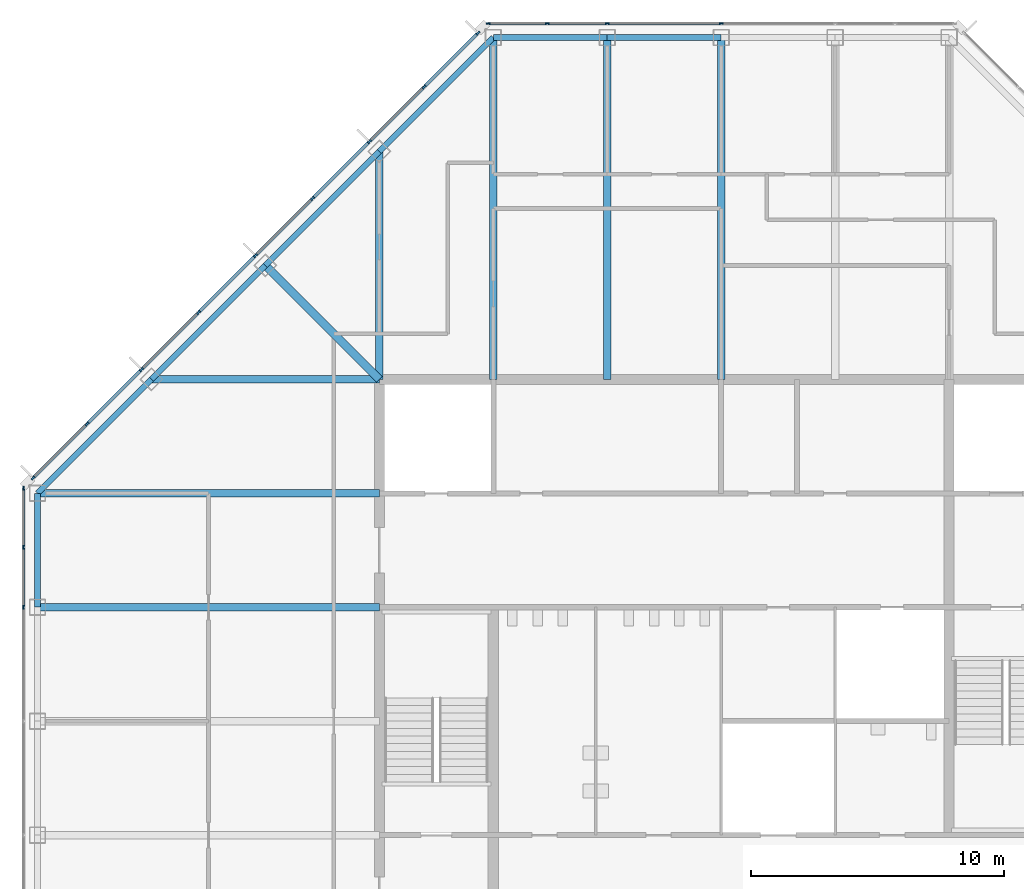
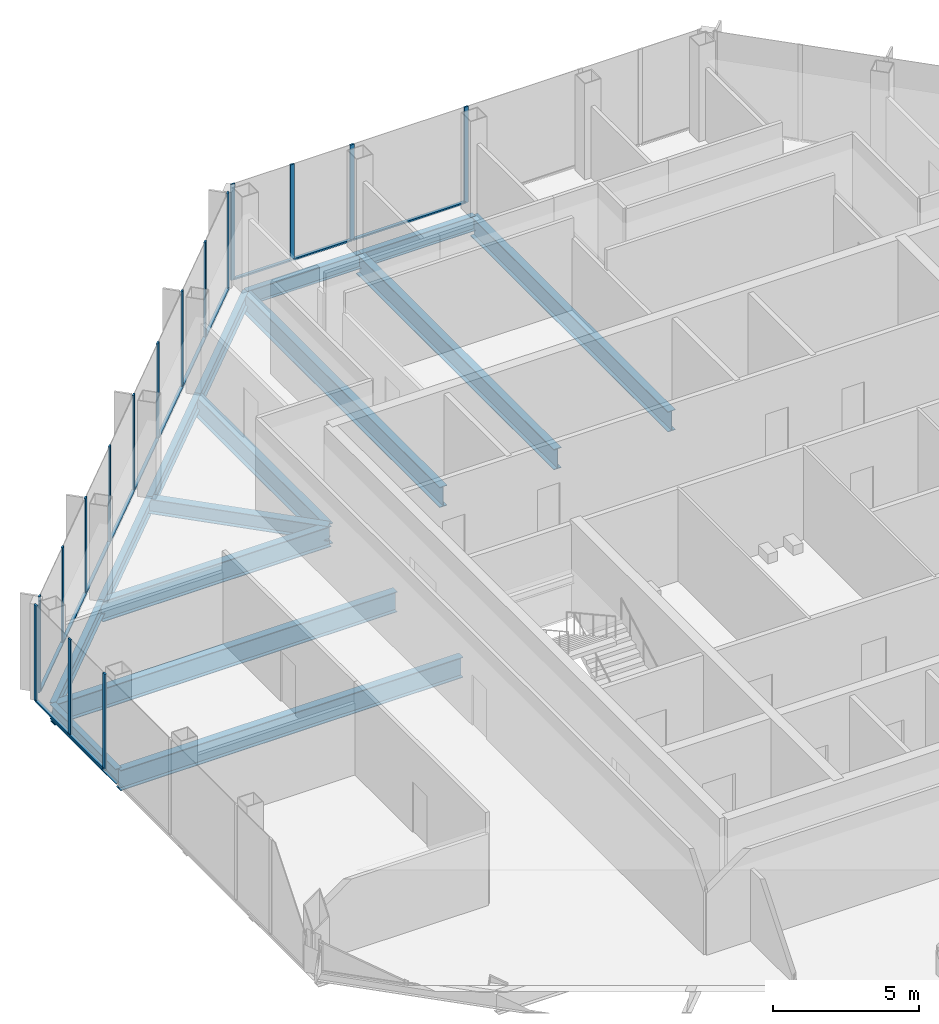
# One storey, part 6 of 14: 29 members, 15 beams, 3 elements without a shape of their own.
"""IFC4 building model written with IfcOpenShell, lengths in metres."""

from ifc_helpers import new_model, si_unit, direction, frame, origin, origin_2d, place, context, subcontext, project, spatial, rectangle, i_section, extrude, material, material_profile, profile_set, type_object, element, aggregate, save


model = new_model("IFC4")

# Units and contexts
model_context = context("Model", 3, precision=1e-05, world=origin(), true_north=direction((0.0, 1.0)))
body_context = subcontext(model_context, "Body", "Model", "MODEL_VIEW")
ifc_project = project(units=[si_unit("LENGTHUNIT", "METRE"), si_unit("AREAUNIT", "SQUARE_METRE"), si_unit("VOLUMEUNIT", "CUBIC_METRE"), si_unit("PLANEANGLEUNIT", "RADIAN"), si_unit("MASSUNIT", "GRAM", prefix="KILO")], contexts=[model_context])

# Site, building, storey
site_placement = place(None, origin())
site = spatial("IfcSite", under=ifc_project, at=site_placement, CompositionType="ELEMENT")
building_placement = place(site_placement, origin())
building = spatial("IfcBuilding", under=site, at=building_placement, Name="Corais Broadcast Tower", CompositionType="ELEMENT")
storey_placement = place(building_placement, frame((0.0, 0.0, 254.60009765625)))
storey = spatial("IfcBuildingStorey", under=building, at=storey_placement, Name="L59", CompositionType="ELEMENT", Elevation=254.60009765625)

# Beams
ifc_material_1 = material(Name="Steel ASTM A572 Grade 50", Category="steel")
ifc_material_profile_1 = material_profile(ifc_material_1, i_section(OverallWidth=0.323974609375, OverallDepth=0.611083984375, WebThickness=0.0126953125, FlangeThickness=0.01904296875, at=origin_2d()), Name="W610x155")
ifc_profile_set_1 = profile_set([ifc_material_profile_1], Name="Steel ASTM A572 Grade 50")
beam_type_1 = type_object("IfcBeamType", Name="Corner diagonal W610x155", PredefinedType="BEAM", material=ifc_profile_set_1)
beam_1_placement = place(storey_placement, frame((9.0, 45.0, -0.465576171875), z_axis=(0.707106781187, -0.707106781187, 0.0), x_axis=(0.707106781187, 0.707106781187, 0.0)))
element("IfcBeam", 1, at=beam_1_placement, inside=storey, type_object=beam_type_1, Name="B6 L/5 to K/6", PredefinedType="BEAM", context=body_context, shape_type="SweptSolid", body=[
    extrude(i_section(OverallWidth=0.323974609375, OverallDepth=0.611083984375, WebThickness=0.0126953125, FlangeThickness=0.01904296875, at=origin_2d()), origin(), (0.0, 0.0, 1.0), 6.364013671875),
])
ifc_material_2 = material(Name="Steel ASTM A572 Grade 50", Category="steel")
ifc_material_profile_2 = material_profile(ifc_material_2, i_section(OverallWidth=0.2939453125, OverallDepth=0.85107421875, WebThickness=0.01611328125, FlangeThickness=0.02685546875, at=origin_2d()), Name="W840x226")
ifc_profile_set_2 = profile_set([ifc_material_profile_2], Name="Steel ASTM A572 Grade 50")
beam_type_2 = type_object("IfcBeamType", Name="Floor beam W840x226", PredefinedType="BEAM", material=ifc_profile_set_2)
for number, where, z_axis, x_axis, name in (
    (2, (0.0, 31.5, -0.585693359375), (1.0, 0.0, 0.0), (0.0, 1.0, 0.0), "B1 H/3 to H/6"),
    (3, (0.0, 36.0, -0.585693359375), (1.0, 0.0, 0.0), (0.0, 1.0, 0.0), "B1 J/3 to J/6"),
):
    element("IfcBeam", number, at=place(storey_placement, frame(where, z_axis=z_axis, x_axis=x_axis)), inside=storey, type_object=beam_type_2, Name=name, PredefinedType="BEAM", context=body_context, shape_type="SweptSolid", body=[
        extrude(i_section(OverallWidth=0.2939453125, OverallDepth=0.85107421875, WebThickness=0.01611328125, FlangeThickness=0.02685546875, at=origin_2d()), origin(), (0.0, 0.0, 1.0), 13.5),
    ])
beam_2_placement = place(storey_placement, frame((13.5, 49.5, -0.585693359375), z_axis=(0.0, -1.0, 0.0), x_axis=(1.0, 0.0, 0.0)))
element("IfcBeam", 4, at=beam_2_placement, inside=storey, type_object=beam_type_2, Name="B1 M/6 to K/6", PredefinedType="BEAM", context=body_context, shape_type="SweptSolid", body=[
    extrude(i_section(OverallWidth=0.2939453125, OverallDepth=0.85107421875, WebThickness=0.01611328125, FlangeThickness=0.02685546875, at=origin_2d()), origin(), (0.0, 0.0, 1.0), 9.0),
])
for number, where, z_axis, x_axis, name in (
    (5, (18.0, 54.0, -0.585693359375), (0.0, -1.0, 0.0), (1.0, 0.0, 0.0), "B1 N/7 to K/7"),
    (6, (22.5, 54.0, -0.585693359375), (0.0, -1.0, 0.0), (1.0, 0.0, 0.0), "B1 N/8 to K/8"),
    (7, (27.0, 54.0, -0.585693359375), (0.0, -1.0, 0.0), (1.0, 0.0, 0.0), "B1 N/9 to K/9"),
):
    element("IfcBeam", number, at=place(storey_placement, frame(where, z_axis=z_axis, x_axis=x_axis)), inside=storey, type_object=beam_type_2, Name=name, PredefinedType="BEAM", context=body_context, shape_type="SweptSolid", body=[
        extrude(i_section(OverallWidth=0.2939453125, OverallDepth=0.85107421875, WebThickness=0.01611328125, FlangeThickness=0.02685546875, at=origin_2d()), origin(), (0.0, 0.0, 1.0), 13.5),
    ])
beam_3_placement = place(storey_placement, frame((4.5, 40.5, -0.585693359375), z_axis=(1.0, 0.0, 0.0), x_axis=(0.0, 1.0, 0.0)))
element("IfcBeam", 8, at=beam_3_placement, inside=storey, type_object=beam_type_2, Name="B1 K/4 to K/6", PredefinedType="BEAM", context=body_context, shape_type="SweptSolid", body=[
    extrude(i_section(OverallWidth=0.2939453125, OverallDepth=0.85107421875, WebThickness=0.01611328125, FlangeThickness=0.02685546875, at=origin_2d()), origin(), (0.0, 0.0, 1.0), 9.0),
])

# Curtain wall, members
ifc_material_3 = material(Name="Aluminium and glass", Category="aluminium")
curtain_wall_type = type_object("IfcCurtainWallType", Name="Unitised fritted curtain wall CW3", PredefinedType="NOTDEFINED", material=ifc_material_3)
curtain_wall_1_placement = place(storey_placement, origin())
curtain_wall_1 = element("IfcCurtainWall", 9, at=curtain_wall_1_placement, inside=storey, type_object=curtain_wall_type, Name="CW3 curtain wall L59 2", PredefinedType="NOTDEFINED")
ifc_material_4 = material(Name="Aluminium 6063-T6", Category="aluminium")
ifc_material_profile_3 = material_profile(ifc_material_4, rectangle(XDim=0.06494140625, YDim=0.159912109375, at=origin_2d()), Name="Mullion CW3 65x160")
ifc_profile_set_3 = profile_set([ifc_material_profile_3], Name="Aluminium 6063-T6")
member_type_1 = type_object("IfcMemberType", Name="Mullion CW3 65x160", PredefinedType="MULLION", material=ifc_profile_set_3)
member_1_placement = place(storey_placement, frame((-0.550048828125, 31.5, 0.0), z_axis=(0.0, 0.0, 1.0), x_axis=(-1.0, 0.0, 0.0)))
member_1 = element("IfcMember", 10, at=member_1_placement, type_object=member_type_1, Name="CW3 mullion 5", PredefinedType="MULLION", context=body_context, shape_type="SweptSolid", body=[
    extrude(rectangle(XDim=0.06494140625, YDim=0.159912109375, at=origin_2d()), origin(), (0.0, 0.0, 1.0), 4.0),
])
member_2_placement = place(storey_placement, frame((-0.550048828125, 33.864013671875, 0.0), z_axis=(0.0, 0.0, 1.0), x_axis=(-1.0, 0.0, 0.0)))
member_2 = element("IfcMember", 11, at=member_2_placement, type_object=member_type_1, Name="CW3 mullion 6", PredefinedType="MULLION", context=body_context, shape_type="SweptSolid", body=[
    extrude(rectangle(XDim=0.06494140625, YDim=0.159912109375, at=origin_2d()), origin(), (0.0, 0.0, 1.0), 4.0),
])
member_3_placement = place(storey_placement, frame((-0.550048828125, 36.1953125, 0.0), z_axis=(0.0, 0.0, 1.0), x_axis=(-1.0, 0.0, 0.0)))
member_3 = element("IfcMember", 12, at=member_3_placement, type_object=member_type_1, Name="CW3 mullion 7", PredefinedType="MULLION", context=body_context, shape_type="SweptSolid", body=[
    extrude(rectangle(XDim=0.06494140625, YDim=0.159912109375, at=origin_2d()), origin(), (0.0, 0.0, 1.0), 4.0),
])

curtain_wall_2_placement = place(storey_placement, origin())
curtain_wall_2 = element("IfcCurtainWall", 13, at=curtain_wall_2_placement, inside=storey, type_object=curtain_wall_type, Name="CW3 curtain wall L59 3", PredefinedType="NOTDEFINED")
member_4_placement = place(storey_placement, frame((-0.17333984375, 36.6044921875, 0.0), z_axis=(0.0, 0.0, 1.0), x_axis=(-0.707106781187, 0.707106781187, 0.0)))
member_4 = element("IfcMember", 14, at=member_4_placement, type_object=member_type_1, Name="CW3 mullion 1", PredefinedType="MULLION", context=body_context, shape_type="SweptSolid", body=[
    extrude(rectangle(XDim=0.06494140625, YDim=0.159912109375, at=origin_2d()), origin(), (0.0, 0.0, 1.0), 4.0),
])
member_5_placement = place(storey_placement, frame((1.957275390625, 38.735107421875, 0.0), z_axis=(0.0, 0.0, 1.0), x_axis=(-0.707106781187, 0.707106781187, 0.0)))
member_5 = element("IfcMember", 15, at=member_5_placement, type_object=member_type_1, Name="CW3 mullion 2", PredefinedType="MULLION", context=body_context, shape_type="SweptSolid", body=[
    extrude(rectangle(XDim=0.06494140625, YDim=0.159912109375, at=origin_2d()), origin(), (0.0, 0.0, 1.0), 4.0),
])
member_6_placement = place(storey_placement, frame((4.111083984375, 40.888916015625, 0.0), z_axis=(0.0, 0.0, 1.0), x_axis=(-0.707106781187, 0.707106781187, 0.0)))
member_6 = element("IfcMember", 16, at=member_6_placement, type_object=member_type_1, Name="CW3 mullion 3", PredefinedType="MULLION", context=body_context, shape_type="SweptSolid", body=[
    extrude(rectangle(XDim=0.06494140625, YDim=0.159912109375, at=origin_2d()), origin(), (0.0, 0.0, 1.0), 4.0),
])
member_7_placement = place(storey_placement, frame((6.361083984375, 43.138916015625, 0.0), z_axis=(0.0, 0.0, 1.0), x_axis=(-0.707106781187, 0.707106781187, 0.0)))
member_7 = element("IfcMember", 17, at=member_7_placement, type_object=member_type_1, Name="CW3 mullion 4", PredefinedType="MULLION", context=body_context, shape_type="SweptSolid", body=[
    extrude(rectangle(XDim=0.06494140625, YDim=0.159912109375, at=origin_2d()), origin(), (0.0, 0.0, 1.0), 4.0),
])
member_8_placement = place(storey_placement, frame((8.611083984375, 45.388916015625, 0.0), z_axis=(0.0, 0.0, 1.0), x_axis=(-0.707106781187, 0.707106781187, 0.0)))
member_8 = element("IfcMember", 18, at=member_8_placement, type_object=member_type_1, Name="CW3 mullion 5", PredefinedType="MULLION", context=body_context, shape_type="SweptSolid", body=[
    extrude(rectangle(XDim=0.06494140625, YDim=0.159912109375, at=origin_2d()), origin(), (0.0, 0.0, 1.0), 4.0),
])
member_9_placement = place(storey_placement, frame((10.861083984375, 47.638916015625, 0.0), z_axis=(0.0, 0.0, 1.0), x_axis=(-0.707106781187, 0.707106781187, 0.0)))
member_9 = element("IfcMember", 19, at=member_9_placement, type_object=member_type_1, Name="CW3 mullion 6", PredefinedType="MULLION", context=body_context, shape_type="SweptSolid", body=[
    extrude(rectangle(XDim=0.06494140625, YDim=0.159912109375, at=origin_2d()), origin(), (0.0, 0.0, 1.0), 4.0),
])
member_10_placement = place(storey_placement, frame((13.111083984375, 49.888916015625, 0.0), z_axis=(0.0, 0.0, 1.0), x_axis=(-0.707106781187, 0.707106781187, 0.0)))
member_10 = element("IfcMember", 20, at=member_10_placement, type_object=member_type_1, Name="CW3 mullion 7", PredefinedType="MULLION", context=body_context, shape_type="SweptSolid", body=[
    extrude(rectangle(XDim=0.06494140625, YDim=0.159912109375, at=origin_2d()), origin(), (0.0, 0.0, 1.0), 4.0),
])
member_11_placement = place(storey_placement, frame((15.264892578125, 52.042724609375, 0.0), z_axis=(0.0, 0.0, 1.0), x_axis=(-0.707106781187, 0.707106781187, 0.0)))
member_11 = element("IfcMember", 21, at=member_11_placement, type_object=member_type_1, Name="CW3 mullion 8", PredefinedType="MULLION", context=body_context, shape_type="SweptSolid", body=[
    extrude(rectangle(XDim=0.06494140625, YDim=0.159912109375, at=origin_2d()), origin(), (0.0, 0.0, 1.0), 4.0),
])
member_12_placement = place(storey_placement, frame((17.3955078125, 54.17333984375, 0.0), z_axis=(0.0, 0.0, 1.0), x_axis=(-0.707106781187, 0.707106781187, 0.0)))
member_12 = element("IfcMember", 22, at=member_12_placement, type_object=member_type_1, Name="CW3 mullion 9", PredefinedType="MULLION", context=body_context, shape_type="SweptSolid", body=[
    extrude(rectangle(XDim=0.06494140625, YDim=0.159912109375, at=origin_2d()), origin(), (0.0, 0.0, 1.0), 4.0),
])

curtain_wall_3_placement = place(storey_placement, origin())
curtain_wall_3 = element("IfcCurtainWall", 23, at=curtain_wall_3_placement, inside=storey, type_object=curtain_wall_type, Name="CW3 curtain wall L59 4", PredefinedType="NOTDEFINED")
member_13_placement = place(storey_placement, frame((17.8046875, 54.550048828125, 0.0), z_axis=(0.0, 0.0, 1.0), x_axis=(0.0, 1.0, 0.0)))
member_13 = element("IfcMember", 24, at=member_13_placement, type_object=member_type_1, Name="CW3 mullion 1", PredefinedType="MULLION", context=body_context, shape_type="SweptSolid", body=[
    extrude(rectangle(XDim=0.06494140625, YDim=0.159912109375, at=origin_2d()), origin(), (0.0, 0.0, 1.0), 4.0),
])
member_14_placement = place(storey_placement, frame((20.135986328125, 54.550048828125, 0.0), z_axis=(0.0, 0.0, 1.0), x_axis=(0.0, 1.0, 0.0)))
member_14 = element("IfcMember", 25, at=member_14_placement, type_object=member_type_1, Name="CW3 mullion 2", PredefinedType="MULLION", context=body_context, shape_type="SweptSolid", body=[
    extrude(rectangle(XDim=0.06494140625, YDim=0.159912109375, at=origin_2d()), origin(), (0.0, 0.0, 1.0), 4.0),
])
member_15_placement = place(storey_placement, frame((22.5, 54.550048828125, 0.0), z_axis=(0.0, 0.0, 1.0), x_axis=(0.0, 1.0, 0.0)))
member_15 = element("IfcMember", 26, at=member_15_placement, type_object=member_type_1, Name="CW3 mullion 3", PredefinedType="MULLION", context=body_context, shape_type="SweptSolid", body=[
    extrude(rectangle(XDim=0.06494140625, YDim=0.159912109375, at=origin_2d()), origin(), (0.0, 0.0, 1.0), 4.0),
])
member_16_placement = place(storey_placement, frame((27.0, 54.550048828125, 0.0), z_axis=(0.0, 0.0, 1.0), x_axis=(0.0, 1.0, 0.0)))
member_16 = element("IfcMember", 27, at=member_16_placement, type_object=member_type_1, Name="CW3 mullion 4", PredefinedType="MULLION", context=body_context, shape_type="SweptSolid", body=[
    extrude(rectangle(XDim=0.06494140625, YDim=0.159912109375, at=origin_2d()), origin(), (0.0, 0.0, 1.0), 4.0),
])

# Beams
ifc_material_5 = material(Name="Steel ASTM A572 Grade 50", Category="steel")
ifc_material_profile_4 = material_profile(ifc_material_5, i_section(OverallWidth=0.22998046875, OverallDepth=0.616943359375, WebThickness=0.01318359375, FlangeThickness=0.022216796875, at=origin_2d()), Name="W610x140")
ifc_profile_set_4 = profile_set([ifc_material_profile_4], Name="Steel ASTM A572 Grade 50")
beam_type_3 = type_object("IfcBeamType", Name="Spandrel W610x140", PredefinedType="BEAM", material=ifc_profile_set_4)
beam_4_placement = place(storey_placement, frame((0.0, 36.0, -0.468505859375), z_axis=(0.0, -1.0, 0.0), x_axis=(1.0, 0.0, 0.0)))
element("IfcBeam", 28, at=beam_4_placement, inside=storey, type_object=beam_type_3, Name="SB3 J/3 to H/3", PredefinedType="BEAM", context=body_context, shape_type="SweptSolid", body=[
    extrude(i_section(OverallWidth=0.22998046875, OverallDepth=0.616943359375, WebThickness=0.01318359375, FlangeThickness=0.022216796875, at=origin_2d()), origin(), (0.0, 0.0, 1.0), 4.5),
])
for number, where, z_axis, x_axis, name in (
    (29, (13.5, 49.5, -0.468505859375), (-0.707106781187, -0.707106781187, 0.0), (0.707106781187, -0.707106781187, 0.0), "SB3 M/6 to L/5"),
    (30, (18.0, 54.0, -0.468505859375), (-0.707106781187, -0.707106781187, 0.0), (0.707106781187, -0.707106781187, 0.0), "SB3 N/7 to M/6"),
):
    element("IfcBeam", number, at=place(storey_placement, frame(where, z_axis=z_axis, x_axis=x_axis)), inside=storey, type_object=beam_type_3, Name=name, PredefinedType="BEAM", context=body_context, shape_type="SweptSolid", body=[
        extrude(i_section(OverallWidth=0.22998046875, OverallDepth=0.616943359375, WebThickness=0.01318359375, FlangeThickness=0.022216796875, at=origin_2d()), origin(), (0.0, 0.0, 1.0), 6.364013671875),
    ])
for number, where, z_axis, x_axis, name in (
    (31, (22.5, 54.0, -0.468505859375), (-1.0, 0.0, 0.0), (0.0, -1.0, 0.0), "SB3 N/8 to N/7"),
    (32, (27.0, 54.0, -0.468505859375), (-1.0, 0.0, 0.0), (0.0, -1.0, 0.0), "SB3 N/9 to N/8"),
):
    element("IfcBeam", number, at=place(storey_placement, frame(where, z_axis=z_axis, x_axis=x_axis)), inside=storey, type_object=beam_type_3, Name=name, PredefinedType="BEAM", context=body_context, shape_type="SweptSolid", body=[
        extrude(i_section(OverallWidth=0.22998046875, OverallDepth=0.616943359375, WebThickness=0.01318359375, FlangeThickness=0.022216796875, at=origin_2d()), origin(), (0.0, 0.0, 1.0), 4.5),
    ])
for number, where, z_axis, x_axis, name in (
    (33, (4.5, 40.5, -0.468505859375), (-0.707106781187, -0.707106781187, 0.0), (0.707106781187, -0.707106781187, 0.0), "SB3 K/4 to J/3"),
    (34, (9.0, 45.0, -0.468505859375), (-0.707106781187, -0.707106781187, 0.0), (0.707106781187, -0.707106781187, 0.0), "SB3 L/5 to K/4"),
):
    element("IfcBeam", number, at=place(storey_placement, frame(where, z_axis=z_axis, x_axis=x_axis)), inside=storey, type_object=beam_type_3, Name=name, PredefinedType="BEAM", context=body_context, shape_type="SweptSolid", body=[
        extrude(i_section(OverallWidth=0.22998046875, OverallDepth=0.616943359375, WebThickness=0.01318359375, FlangeThickness=0.022216796875, at=origin_2d()), origin(), (0.0, 0.0, 1.0), 6.364013671875),
    ])

# Member
ifc_material_6 = material(Name="Aluminium 6063-T6", Category="aluminium")
ifc_material_profile_5 = material_profile(ifc_material_6, rectangle(XDim=0.1201171875, YDim=0.06494140625, at=origin_2d()), Name="Transom CW3 65x120")
ifc_profile_set_5 = profile_set([ifc_material_profile_5], Name="Aluminium 6063-T6")
member_type_2 = type_object("IfcMemberType", Name="Transom CW3 65x120", PredefinedType="USERDEFINED", material=ifc_profile_set_5)
member_17_placement = place(storey_placement, frame((-0.550048828125, 31.532470703125, 0.032470703125), z_axis=(0.0, 1.0, 0.0), x_axis=(-1.0, 0.0, 0.0)))
member_17 = element("IfcMember", 35, at=member_17_placement, type_object=member_type_2, Name="CW3 transom 5.1", ObjectType="TRANSOM", PredefinedType="USERDEFINED", context=body_context, shape_type="SweptSolid", body=[
    extrude(rectangle(XDim=0.1201171875, YDim=0.06494140625, at=origin_2d()), origin(), (0.0, 0.0, 1.0), 2.298828125),
])

member_18_placement = place(storey_placement, frame((-0.550048828125, 33.896484375, 0.032470703125), z_axis=(0.0, 1.0, 0.0), x_axis=(-1.0, 0.0, 0.0)))
member_18 = element("IfcMember", 36, at=member_18_placement, type_object=member_type_2, Name="CW3 transom 6.1", ObjectType="TRANSOM", PredefinedType="USERDEFINED", context=body_context, shape_type="SweptSolid", body=[
    extrude(rectangle(XDim=0.1201171875, YDim=0.06494140625, at=origin_2d()), origin(), (0.0, 0.0, 1.0), 2.266357421875),
])

aggregate(curtain_wall_1, [member_1, member_2, member_3, member_17, member_18])

member_19_placement = place(storey_placement, frame((-0.150390625, 36.62744140625, 0.032470703125), z_axis=(0.707106781187, 0.707106781187, 0.0), x_axis=(-0.707106781187, 0.707106781187, 0.0)))
member_19 = element("IfcMember", 37, at=member_19_placement, type_object=member_type_2, Name="CW3 transom 1.1", ObjectType="TRANSOM", PredefinedType="USERDEFINED", context=body_context, shape_type="SweptSolid", body=[
    extrude(rectangle(XDim=0.1201171875, YDim=0.06494140625, at=origin_2d()), origin(), (0.0, 0.0, 1.0), 2.9482421875),
])

member_20_placement = place(storey_placement, frame((1.980224609375, 38.758056640625, 0.032470703125), z_axis=(0.707106781187, 0.707106781187, 0.0), x_axis=(-0.707106781187, 0.707106781187, 0.0)))
member_20 = element("IfcMember", 38, at=member_20_placement, type_object=member_type_2, Name="CW3 transom 2.1", ObjectType="TRANSOM", PredefinedType="USERDEFINED", context=body_context, shape_type="SweptSolid", body=[
    extrude(rectangle(XDim=0.1201171875, YDim=0.06494140625, at=origin_2d()), origin(), (0.0, 0.0, 1.0), 2.98095703125),
])

member_21_placement = place(storey_placement, frame((4.134033203125, 40.911865234375, 0.032470703125), z_axis=(0.707106781187, 0.707106781187, 0.0), x_axis=(-0.707106781187, 0.707106781187, 0.0)))
member_21 = element("IfcMember", 39, at=member_21_placement, type_object=member_type_2, Name="CW3 transom 3.1", ObjectType="TRANSOM", PredefinedType="USERDEFINED", context=body_context, shape_type="SweptSolid", body=[
    extrude(rectangle(XDim=0.1201171875, YDim=0.06494140625, at=origin_2d()), origin(), (0.0, 0.0, 1.0), 3.1171875),
])

member_22_placement = place(storey_placement, frame((6.384033203125, 43.161865234375, 0.032470703125), z_axis=(0.707106781187, 0.707106781187, 0.0), x_axis=(-0.707106781187, 0.707106781187, 0.0)))
member_22 = element("IfcMember", 40, at=member_22_placement, type_object=member_type_2, Name="CW3 transom 4.1", ObjectType="TRANSOM", PredefinedType="USERDEFINED", context=body_context, shape_type="SweptSolid", body=[
    extrude(rectangle(XDim=0.1201171875, YDim=0.06494140625, at=origin_2d()), origin(), (0.0, 0.0, 1.0), 3.1171875),
])

member_23_placement = place(storey_placement, frame((8.634033203125, 45.411865234375, 0.032470703125), z_axis=(0.707106781187, 0.707106781187, 0.0), x_axis=(-0.707106781187, 0.707106781187, 0.0)))
member_23 = element("IfcMember", 41, at=member_23_placement, type_object=member_type_2, Name="CW3 transom 5.1", ObjectType="TRANSOM", PredefinedType="USERDEFINED", context=body_context, shape_type="SweptSolid", body=[
    extrude(rectangle(XDim=0.1201171875, YDim=0.06494140625, at=origin_2d()), origin(), (0.0, 0.0, 1.0), 3.1171875),
])

member_24_placement = place(storey_placement, frame((10.884033203125, 47.661865234375, 0.032470703125), z_axis=(0.707106781187, 0.707106781187, 0.0), x_axis=(-0.707106781187, 0.707106781187, 0.0)))
member_24 = element("IfcMember", 42, at=member_24_placement, type_object=member_type_2, Name="CW3 transom 6.1", ObjectType="TRANSOM", PredefinedType="USERDEFINED", context=body_context, shape_type="SweptSolid", body=[
    extrude(rectangle(XDim=0.1201171875, YDim=0.06494140625, at=origin_2d()), origin(), (0.0, 0.0, 1.0), 3.1171875),
])

member_25_placement = place(storey_placement, frame((13.134033203125, 49.911865234375, 0.032470703125), z_axis=(0.70714773134, 0.707065828661, 0.0), x_axis=(-0.707065828661, 0.70714773134, 0.0)))
member_25 = element("IfcMember", 43, at=member_25_placement, type_object=member_type_2, Name="CW3 transom 7.1", ObjectType="TRANSOM", PredefinedType="USERDEFINED", context=body_context, shape_type="SweptSolid", body=[
    extrude(rectangle(XDim=0.1201171875, YDim=0.06494140625, at=origin_2d()), origin(), (0.0, 0.0, 1.0), 2.98095703125),
])

member_26_placement = place(storey_placement, frame((15.287841796875, 52.065673828125, 0.032470703125), z_axis=(0.707106781187, 0.707106781187, 0.0), x_axis=(-0.707106781187, 0.707106781187, 0.0)))
member_26 = element("IfcMember", 44, at=member_26_placement, type_object=member_type_2, Name="CW3 transom 8.1", ObjectType="TRANSOM", PredefinedType="USERDEFINED", context=body_context, shape_type="SweptSolid", body=[
    extrude(rectangle(XDim=0.1201171875, YDim=0.06494140625, at=origin_2d()), origin(), (0.0, 0.0, 1.0), 2.9482421875),
])

aggregate(curtain_wall_2, [member_4, member_5, member_6, member_7, member_8, member_9, member_10, member_11, member_12, member_19, member_20, member_21, member_22, member_23, member_24, member_25, member_26])

member_27_placement = place(storey_placement, frame((17.837158203125, 54.550048828125, 0.032470703125), z_axis=(1.0, 0.0, 0.0), x_axis=(0.0, 1.0, 0.0)))
member_27 = element("IfcMember", 45, at=member_27_placement, type_object=member_type_2, Name="CW3 transom 1.1", ObjectType="TRANSOM", PredefinedType="USERDEFINED", context=body_context, shape_type="SweptSolid", body=[
    extrude(rectangle(XDim=0.1201171875, YDim=0.06494140625, at=origin_2d()), origin(), (0.0, 0.0, 1.0), 2.266357421875),
])

member_28_placement = place(storey_placement, frame((20.168701171875, 54.550048828125, 0.032470703125), z_axis=(1.0, 0.0, 0.0), x_axis=(0.0, 1.0, 0.0)))
member_28 = element("IfcMember", 46, at=member_28_placement, type_object=member_type_2, Name="CW3 transom 2.1", ObjectType="TRANSOM", PredefinedType="USERDEFINED", context=body_context, shape_type="SweptSolid", body=[
    extrude(rectangle(XDim=0.1201171875, YDim=0.06494140625, at=origin_2d()), origin(), (0.0, 0.0, 1.0), 2.298828125),
])

member_29_placement = place(storey_placement, frame((22.532470703125, 54.550048828125, 0.032470703125), z_axis=(1.0, 0.0, 0.0), x_axis=(0.0, 1.0, 0.0)))
member_29 = element("IfcMember", 47, at=member_29_placement, type_object=member_type_2, Name="CW3 transom 3.1", ObjectType="TRANSOM", PredefinedType="USERDEFINED", context=body_context, shape_type="SweptSolid", body=[
    extrude(rectangle(XDim=0.1201171875, YDim=0.06494140625, at=origin_2d()), origin(), (0.0, 0.0, 1.0), 4.43505859375),
])

aggregate(curtain_wall_3, [member_13, member_14, member_15, member_16, member_27, member_28, member_29])

save(model, "model.ifc")
